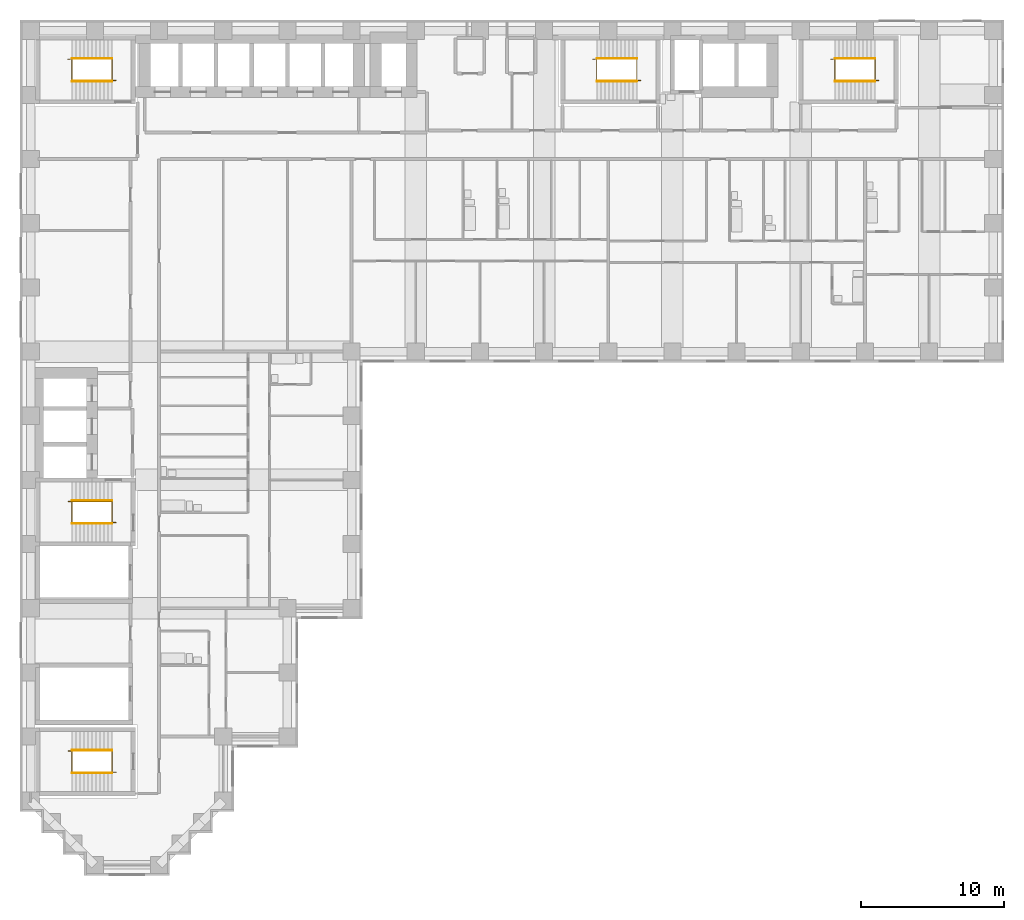
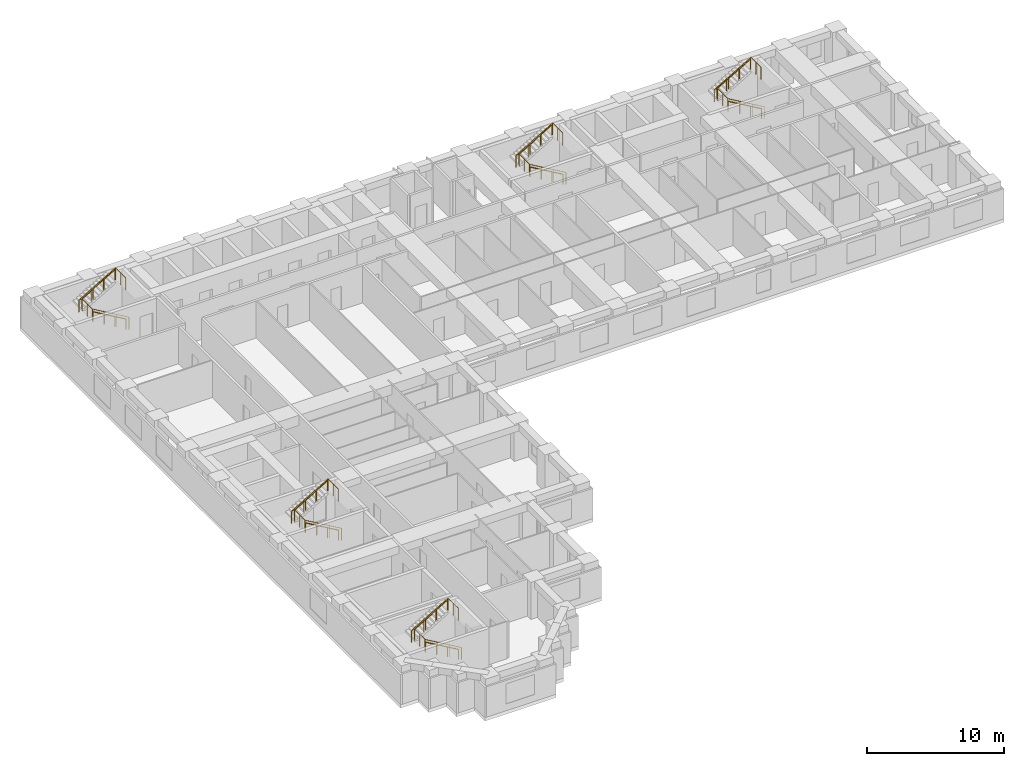
# One storey, part 11 of 12: 15 railings.
"""IFC4 building model written with IfcOpenShell, lengths in metres."""

from ifc_helpers import new_model, si_unit, direction, frame, origin, origin_2d, place, context, subcontext, project, spatial, circle, extrude, material, type_object, element, save


model = new_model("IFC4")

# Units and contexts
model_context = context("Model", 3, precision=1e-05, world=origin(), true_north=direction((0.0, 1.0)))
body_context = subcontext(model_context, "Body", "Model", "MODEL_VIEW")
ifc_project = project(units=[si_unit("LENGTHUNIT", "METRE"), si_unit("AREAUNIT", "SQUARE_METRE"), si_unit("VOLUMEUNIT", "CUBIC_METRE"), si_unit("PLANEANGLEUNIT", "RADIAN"), si_unit("MASSUNIT", "GRAM", prefix="KILO")], contexts=[model_context])

# Site, building, storey
site_placement = place(None, origin())
site = spatial("IfcSite", under=ifc_project, at=site_placement, CompositionType="ELEMENT")
building_placement = place(site_placement, origin())
building = spatial("IfcBuilding", under=site, at=building_placement, Name="Firuza Court", CompositionType="ELEMENT")
storey_placement = place(building_placement, frame((0.0, 0.0, 97.39990234375)))
storey = spatial("IfcBuildingStorey", under=building, at=storey_placement, Name="L24", CompositionType="ELEMENT", Elevation=97.39990234375)

# Railings
ifc_material_1 = material(Name="Steel S355", Category="steel")
railing_type_1 = type_object("IfcRailingType", Name="Handrail 900", PredefinedType="HANDRAIL", material=ifc_material_1)
railing_1_placement = place(storey_placement, frame((42.5, 54.949951171875, 0.163818359375)))
element("IfcRailing", 1, at=railing_1_placement, inside=storey, type_object=railing_type_1, Name="Handrail S1 flight 1", PredefinedType="HANDRAIL", context=body_context, shape_type="SweptSolid", body=[
    extrude(circle(Radius=0.02490234375, at=origin_2d()), frame((0.0, 0.0, 0.875), z_axis=(-0.863393664356, 0.0, 0.504530851732), x_axis=(0.0, -1.0, 0.0)), (0.0, 0.0, 1.0), 3.2431640625),
    extrude(circle(Radius=0.02001953125, at=origin_2d()), origin(), (0.0, 0.0, 1.0), 0.849853515625),
    extrude(circle(Radius=0.02001953125, at=origin_2d()), frame((-0.933349609375, 0.0, 0.54541015625)), (0.0, 0.0, 1.0), 0.849853515625),
    extrude(circle(Radius=0.02001953125, at=origin_2d()), frame((-1.86669921875, 0.0, 1.0908203125)), (0.0, 0.0, 1.0), 0.849853515625),
    extrude(circle(Radius=0.02001953125, at=origin_2d()), frame((-2.800048828125, 0.0, 1.63623046875)), (0.0, 0.0, 1.0), 0.849853515625),
])
railing_2_placement = place(storey_placement, frame((39.699951171875, 56.550048828125, 1.963623046875)))
element("IfcRailing", 2, at=railing_2_placement, inside=storey, type_object=railing_type_1, Name="Handrail S1 flight 2", PredefinedType="HANDRAIL", context=body_context, shape_type="SweptSolid", body=[
    extrude(circle(Radius=0.02490234375, at=origin_2d()), frame((0.0, 0.0, 0.875), z_axis=(0.863360870873, 0.0, 0.504586966384), x_axis=(0.0, 1.0, 0.0)), (0.0, 0.0, 1.0), 3.2431640625),
    extrude(circle(Radius=0.02001953125, at=origin_2d()), origin(), (0.0, 0.0, 1.0), 0.849853515625),
    extrude(circle(Radius=0.02001953125, at=origin_2d()), frame((0.933349609375, 0.0, 0.54541015625)), (0.0, 0.0, 1.0), 0.849853515625),
    extrude(circle(Radius=0.02001953125, at=origin_2d()), frame((1.86669921875, 0.0, 1.091064453125)), (0.0, 0.0, 1.0), 0.849853515625),
    extrude(circle(Radius=0.02001953125, at=origin_2d()), frame((2.800048828125, 0.0, 1.636474609375)), (0.0, 0.0, 1.0), 0.849853515625),
])
railing_3_placement = place(storey_placement, frame((5.699951171875, 23.949951171875, 0.163818359375)))
element("IfcRailing", 3, at=railing_3_placement, inside=storey, type_object=railing_type_1, Name="Handrail S2 flight 1", PredefinedType="HANDRAIL", context=body_context, shape_type="SweptSolid", body=[
    extrude(circle(Radius=0.02490234375, at=origin_2d()), frame((0.0, 0.0, 0.875), z_axis=(-0.863393664356, 0.0, 0.504530851732), x_axis=(0.0, -1.0, 0.0)), (0.0, 0.0, 1.0), 3.2431640625),
    extrude(circle(Radius=0.02001953125, at=origin_2d()), origin(), (0.0, 0.0, 1.0), 0.849853515625),
    extrude(circle(Radius=0.02001953125, at=origin_2d()), frame((-0.933349609375, 0.0, 0.54541015625)), (0.0, 0.0, 1.0), 0.849853515625),
    extrude(circle(Radius=0.02001953125, at=origin_2d()), frame((-1.86669921875, 0.0, 1.0908203125)), (0.0, 0.0, 1.0), 0.849853515625),
    extrude(circle(Radius=0.02001953125, at=origin_2d()), frame((-2.800048828125, 0.0, 1.63623046875)), (0.0, 0.0, 1.0), 0.849853515625),
])
railing_4_placement = place(storey_placement, frame((2.89990234375, 25.550048828125, 1.963623046875)))
element("IfcRailing", 4, at=railing_4_placement, inside=storey, type_object=railing_type_1, Name="Handrail S2 flight 2", PredefinedType="HANDRAIL", context=body_context, shape_type="SweptSolid", body=[
    extrude(circle(Radius=0.02490234375, at=origin_2d()), frame((0.0, 0.0, 0.875), z_axis=(0.863360870873, 0.0, 0.504586966384), x_axis=(0.0, 1.0, 0.0)), (0.0, 0.0, 1.0), 3.2431640625),
    extrude(circle(Radius=0.02001953125, at=origin_2d()), origin(), (0.0, 0.0, 1.0), 0.849853515625),
    extrude(circle(Radius=0.02001953125, at=origin_2d()), frame((0.933349609375, 0.0, 0.54541015625)), (0.0, 0.0, 1.0), 0.849853515625),
    extrude(circle(Radius=0.02001953125, at=origin_2d()), frame((1.86669921875, 0.0, 1.091064453125)), (0.0, 0.0, 1.0), 0.849853515625),
    extrude(circle(Radius=0.02001953125, at=origin_2d()), frame((2.800048828125, 0.0, 1.636474609375)), (0.0, 0.0, 1.0), 0.849853515625),
])
railing_5_placement = place(storey_placement, frame((5.699951171875, 54.949951171875, 0.163818359375)))
element("IfcRailing", 5, at=railing_5_placement, inside=storey, type_object=railing_type_1, Name="Handrail S3 flight 1", PredefinedType="HANDRAIL", context=body_context, shape_type="SweptSolid", body=[
    extrude(circle(Radius=0.02490234375, at=origin_2d()), frame((0.0, 0.0, 0.875), z_axis=(-0.863393664356, 0.0, 0.504530851732), x_axis=(0.0, -1.0, 0.0)), (0.0, 0.0, 1.0), 3.2431640625),
    extrude(circle(Radius=0.02001953125, at=origin_2d()), origin(), (0.0, 0.0, 1.0), 0.849853515625),
    extrude(circle(Radius=0.02001953125, at=origin_2d()), frame((-0.933349609375, 0.0, 0.54541015625)), (0.0, 0.0, 1.0), 0.849853515625),
    extrude(circle(Radius=0.02001953125, at=origin_2d()), frame((-1.86669921875, 0.0, 1.0908203125)), (0.0, 0.0, 1.0), 0.849853515625),
    extrude(circle(Radius=0.02001953125, at=origin_2d()), frame((-2.800048828125, 0.0, 1.63623046875)), (0.0, 0.0, 1.0), 0.849853515625),
])
railing_6_placement = place(storey_placement, frame((2.89990234375, 56.550048828125, 1.963623046875)))
element("IfcRailing", 6, at=railing_6_placement, inside=storey, type_object=railing_type_1, Name="Handrail S3 flight 2", PredefinedType="HANDRAIL", context=body_context, shape_type="SweptSolid", body=[
    extrude(circle(Radius=0.02490234375, at=origin_2d()), frame((0.0, 0.0, 0.875), z_axis=(0.863360870873, 0.0, 0.504586966384), x_axis=(0.0, 1.0, 0.0)), (0.0, 0.0, 1.0), 3.2431640625),
    extrude(circle(Radius=0.02001953125, at=origin_2d()), origin(), (0.0, 0.0, 1.0), 0.849853515625),
    extrude(circle(Radius=0.02001953125, at=origin_2d()), frame((0.933349609375, 0.0, 0.54541015625)), (0.0, 0.0, 1.0), 0.849853515625),
    extrude(circle(Radius=0.02001953125, at=origin_2d()), frame((1.86669921875, 0.0, 1.091064453125)), (0.0, 0.0, 1.0), 0.849853515625),
    extrude(circle(Radius=0.02001953125, at=origin_2d()), frame((2.800048828125, 0.0, 1.636474609375)), (0.0, 0.0, 1.0), 0.849853515625),
])
railing_7_placement = place(storey_placement, frame((59.199951171875, 54.949951171875, 0.163818359375)))
element("IfcRailing", 7, at=railing_7_placement, inside=storey, type_object=railing_type_1, Name="Handrail S4 flight 1", PredefinedType="HANDRAIL", context=body_context, shape_type="SweptSolid", body=[
    extrude(circle(Radius=0.02490234375, at=origin_2d()), frame((0.0, 0.0, 0.875), z_axis=(-0.863393664356, 0.0, 0.504530851732), x_axis=(0.0, -1.0, 0.0)), (0.0, 0.0, 1.0), 3.2431640625),
    extrude(circle(Radius=0.02001953125, at=origin_2d()), origin(), (0.0, 0.0, 1.0), 0.849853515625),
    extrude(circle(Radius=0.02001953125, at=origin_2d()), frame((-0.933349609375, 0.0, 0.54541015625)), (0.0, 0.0, 1.0), 0.849853515625),
    extrude(circle(Radius=0.02001953125, at=origin_2d()), frame((-1.86669921875, 0.0, 1.0908203125)), (0.0, 0.0, 1.0), 0.849853515625),
    extrude(circle(Radius=0.02001953125, at=origin_2d()), frame((-2.800048828125, 0.0, 1.63623046875)), (0.0, 0.0, 1.0), 0.849853515625),
])
railing_8_placement = place(storey_placement, frame((56.39990234375, 56.550048828125, 1.963623046875)))
element("IfcRailing", 8, at=railing_8_placement, inside=storey, type_object=railing_type_1, Name="Handrail S4 flight 2", PredefinedType="HANDRAIL", context=body_context, shape_type="SweptSolid", body=[
    extrude(circle(Radius=0.02490234375, at=origin_2d()), frame((0.0, 0.0, 0.875), z_axis=(0.863360870873, 0.0, 0.504586966384), x_axis=(0.0, 1.0, 0.0)), (0.0, 0.0, 1.0), 3.2431640625),
    extrude(circle(Radius=0.02001953125, at=origin_2d()), origin(), (0.0, 0.0, 1.0), 0.849853515625),
    extrude(circle(Radius=0.02001953125, at=origin_2d()), frame((0.933349609375, 0.0, 0.54541015625)), (0.0, 0.0, 1.0), 0.849853515625),
    extrude(circle(Radius=0.02001953125, at=origin_2d()), frame((1.86669921875, 0.0, 1.091064453125)), (0.0, 0.0, 1.0), 0.849853515625),
    extrude(circle(Radius=0.02001953125, at=origin_2d()), frame((2.800048828125, 0.0, 1.636474609375)), (0.0, 0.0, 1.0), 0.849853515625),
])
railing_9_placement = place(storey_placement, frame((5.699951171875, 6.449951171875, 0.163818359375)))
element("IfcRailing", 9, at=railing_9_placement, inside=storey, type_object=railing_type_1, Name="Handrail S5 flight 1", PredefinedType="HANDRAIL", context=body_context, shape_type="SweptSolid", body=[
    extrude(circle(Radius=0.02490234375, at=origin_2d()), frame((0.0, 0.0, 0.875), z_axis=(-0.863393664356, 0.0, 0.504530851732), x_axis=(0.0, -1.0, 0.0)), (0.0, 0.0, 1.0), 3.2431640625),
    extrude(circle(Radius=0.02001953125, at=origin_2d()), origin(), (0.0, 0.0, 1.0), 0.849853515625),
    extrude(circle(Radius=0.02001953125, at=origin_2d()), frame((-0.933349609375, 0.0, 0.54541015625)), (0.0, 0.0, 1.0), 0.849853515625),
    extrude(circle(Radius=0.02001953125, at=origin_2d()), frame((-1.86669921875, 0.0, 1.0908203125)), (0.0, 0.0, 1.0), 0.849853515625),
    extrude(circle(Radius=0.02001953125, at=origin_2d()), frame((-2.800048828125, 0.0, 1.63623046875)), (0.0, 0.0, 1.0), 0.849853515625),
])
railing_10_placement = place(storey_placement, frame((2.89990234375, 8.050048828125, 1.963623046875)))
element("IfcRailing", 10, at=railing_10_placement, inside=storey, type_object=railing_type_1, Name="Handrail S5 flight 2", PredefinedType="HANDRAIL", context=body_context, shape_type="SweptSolid", body=[
    extrude(circle(Radius=0.02490234375, at=origin_2d()), frame((0.0, 0.0, 0.875), z_axis=(0.863360870873, 0.0, 0.504586966384), x_axis=(0.0, 1.0, 0.0)), (0.0, 0.0, 1.0), 3.2431640625),
    extrude(circle(Radius=0.02001953125, at=origin_2d()), origin(), (0.0, 0.0, 1.0), 0.849853515625),
    extrude(circle(Radius=0.02001953125, at=origin_2d()), frame((0.933349609375, 0.0, 0.54541015625)), (0.0, 0.0, 1.0), 0.849853515625),
    extrude(circle(Radius=0.02001953125, at=origin_2d()), frame((1.86669921875, 0.0, 1.091064453125)), (0.0, 0.0, 1.0), 0.849853515625),
    extrude(circle(Radius=0.02001953125, at=origin_2d()), frame((2.800048828125, 0.0, 1.636474609375)), (0.0, 0.0, 1.0), 0.849853515625),
])
ifc_material_2 = material(Name="Steel S355", Category="steel")
railing_type_2 = type_object("IfcRailingType", Name="Stair guard 1100", PredefinedType="GUARDRAIL", material=ifc_material_2)
railing_11_placement = place(storey_placement, frame((42.780029296875, 55.010009765625, 0.0)))
element("IfcRailing", 11, at=railing_11_placement, inside=storey, type_object=railing_type_2, Name="Stair well guard S1", PredefinedType="GUARDRAIL", context=body_context, shape_type="SweptSolid", body=[
    extrude(circle(Radius=0.02490234375, at=origin_2d()), frame((0.0, 0.0, 1.0751953125), z_axis=(-0.863371556955, 0.0, 0.504568681787), x_axis=(0.0, -1.0, 0.0)), (0.0, 0.0, 1.0), 3.5673828125),
    extrude(circle(Radius=0.02490234375, at=origin_2d()), frame((-3.080078125, 0.0, 2.875), z_axis=(0.0, 1.0, 0.0), x_axis=(-1.0, 0.0, 0.0)), (0.0, 0.0, 1.0), 1.47998046875),
    extrude(circle(Radius=0.02490234375, at=origin_2d()), frame((-3.080078125, 1.47998046875, 2.875), z_axis=(-1.0, 0.0, 0.0), x_axis=(0.0, -1.0, 0.0)), (0.0, 0.0, 1.0), 0.280029296875),
    extrude(circle(Radius=0.02490234375, at=origin_2d()), frame((-3.360107421875, 1.47998046875, 2.875), z_axis=(0.863371556955, 0.0, 0.504568681787), x_axis=(0.0, 1.0, 0.0)), (0.0, 0.0, 1.0), 3.5673828125),
    extrude(circle(Radius=0.02490234375, at=origin_2d()), frame((-0.280029296875, 1.47998046875, 4.67529296875), z_axis=(0.0, -1.0, 0.0), x_axis=(1.0, 0.0, 0.0)), (0.0, 0.0, 1.0), 1.47998046875),
    extrude(circle(Radius=0.02490234375, at=origin_2d()), origin(), (0.0, 0.0, 1.0), 1.050048828125),
    extrude(circle(Radius=0.02490234375, at=origin_2d()), frame((-1.026611328125, 0.0, 0.60009765625)), (0.0, 0.0, 1.0), 1.050048828125),
    extrude(circle(Radius=0.02490234375, at=origin_2d()), frame((-2.053466796875, 0.0, 1.199951171875)), (0.0, 0.0, 1.0), 1.050048828125),
    extrude(circle(Radius=0.02490234375, at=origin_2d()), frame((-3.080078125, 0.0, 1.800048828125)), (0.0, 0.0, 1.0), 1.050048828125),
    extrude(circle(Radius=0.02490234375, at=origin_2d()), frame((-3.080078125, 0.739990234375, 1.800048828125)), (0.0, 0.0, 1.0), 1.050048828125),
    extrude(circle(Radius=0.02490234375, at=origin_2d()), frame((-3.080078125, 1.47998046875, 1.800048828125)), (0.0, 0.0, 1.0), 1.050048828125),
    extrude(circle(Radius=0.02490234375, at=origin_2d()), frame((-3.360107421875, 1.47998046875, 1.800048828125)), (0.0, 0.0, 1.0), 1.050048828125),
    extrude(circle(Radius=0.02490234375, at=origin_2d()), frame((-2.33349609375, 1.47998046875, 2.400146484375)), (0.0, 0.0, 1.0), 1.050048828125),
    extrude(circle(Radius=0.02490234375, at=origin_2d()), frame((-1.306640625, 1.47998046875, 3.0)), (0.0, 0.0, 1.0), 1.050048828125),
    extrude(circle(Radius=0.02490234375, at=origin_2d()), frame((-0.280029296875, 1.47998046875, 3.60009765625)), (0.0, 0.0, 1.0), 1.050048828125),
    extrude(circle(Radius=0.02490234375, at=origin_2d()), frame((-0.280029296875, 0.739990234375, 3.60009765625)), (0.0, 0.0, 1.0), 1.050048828125),
    extrude(circle(Radius=0.02490234375, at=origin_2d()), frame((-0.280029296875, 0.0, 3.60009765625)), (0.0, 0.0, 1.0), 1.050048828125),
])
railing_12_placement = place(storey_placement, frame((5.97998046875, 24.010009765625, 0.0)))
element("IfcRailing", 12, at=railing_12_placement, inside=storey, type_object=railing_type_2, Name="Stair well guard S2", PredefinedType="GUARDRAIL", context=body_context, shape_type="SweptSolid", body=[
    extrude(circle(Radius=0.02490234375, at=origin_2d()), frame((0.0, 0.0, 1.0751953125), z_axis=(-0.863371556955, 0.0, 0.504568681787), x_axis=(0.0, -1.0, 0.0)), (0.0, 0.0, 1.0), 3.5673828125),
    extrude(circle(Radius=0.02490234375, at=origin_2d()), frame((-3.080078125, 0.0, 2.875), z_axis=(0.0, 1.0, 0.0), x_axis=(-1.0, 0.0, 0.0)), (0.0, 0.0, 1.0), 1.47998046875),
    extrude(circle(Radius=0.02490234375, at=origin_2d()), frame((-3.080078125, 1.47998046875, 2.875), z_axis=(-1.0, 0.0, 0.0), x_axis=(0.0, -1.0, 0.0)), (0.0, 0.0, 1.0), 0.27978515625),
    extrude(circle(Radius=0.02490234375, at=origin_2d()), frame((-3.35986328125, 1.47998046875, 2.875), z_axis=(0.863354132664, 0.0, 0.504598495452), x_axis=(0.0, 1.0, 0.0)), (0.0, 0.0, 1.0), 3.5673828125),
    extrude(circle(Radius=0.02490234375, at=origin_2d()), frame((-0.280029296875, 1.47998046875, 4.67529296875), z_axis=(0.0, -1.0, 0.0), x_axis=(1.0, 0.0, 0.0)), (0.0, 0.0, 1.0), 1.47998046875),
    extrude(circle(Radius=0.02490234375, at=origin_2d()), origin(), (0.0, 0.0, 1.0), 1.050048828125),
    extrude(circle(Radius=0.02490234375, at=origin_2d()), frame((-1.026611328125, 0.0, 0.60009765625)), (0.0, 0.0, 1.0), 1.050048828125),
    extrude(circle(Radius=0.02490234375, at=origin_2d()), frame((-2.053466796875, 0.0, 1.199951171875)), (0.0, 0.0, 1.0), 1.050048828125),
    extrude(circle(Radius=0.02490234375, at=origin_2d()), frame((-3.080078125, 0.0, 1.800048828125)), (0.0, 0.0, 1.0), 1.050048828125),
    extrude(circle(Radius=0.02490234375, at=origin_2d()), frame((-3.080078125, 0.739990234375, 1.800048828125)), (0.0, 0.0, 1.0), 1.050048828125),
    extrude(circle(Radius=0.02490234375, at=origin_2d()), frame((-3.080078125, 1.47998046875, 1.800048828125)), (0.0, 0.0, 1.0), 1.050048828125),
    extrude(circle(Radius=0.02490234375, at=origin_2d()), frame((-3.35986328125, 1.47998046875, 1.800048828125)), (0.0, 0.0, 1.0), 1.050048828125),
    extrude(circle(Radius=0.02490234375, at=origin_2d()), frame((-2.333251953125, 1.47998046875, 2.400146484375)), (0.0, 0.0, 1.0), 1.050048828125),
    extrude(circle(Radius=0.02490234375, at=origin_2d()), frame((-1.306640625, 1.47998046875, 3.0)), (0.0, 0.0, 1.0), 1.050048828125),
    extrude(circle(Radius=0.02490234375, at=origin_2d()), frame((-0.280029296875, 1.47998046875, 3.60009765625)), (0.0, 0.0, 1.0), 1.050048828125),
    extrude(circle(Radius=0.02490234375, at=origin_2d()), frame((-0.280029296875, 0.739990234375, 3.60009765625)), (0.0, 0.0, 1.0), 1.050048828125),
    extrude(circle(Radius=0.02490234375, at=origin_2d()), frame((-0.280029296875, 0.0, 3.60009765625)), (0.0, 0.0, 1.0), 1.050048828125),
])
railing_13_placement = place(storey_placement, frame((5.97998046875, 55.010009765625, 0.0)))
element("IfcRailing", 13, at=railing_13_placement, inside=storey, type_object=railing_type_2, Name="Stair well guard S3", PredefinedType="GUARDRAIL", context=body_context, shape_type="SweptSolid", body=[
    extrude(circle(Radius=0.02490234375, at=origin_2d()), frame((0.0, 0.0, 1.0751953125), z_axis=(-0.863371556955, 0.0, 0.504568681787), x_axis=(0.0, -1.0, 0.0)), (0.0, 0.0, 1.0), 3.5673828125),
    extrude(circle(Radius=0.02490234375, at=origin_2d()), frame((-3.080078125, 0.0, 2.875), z_axis=(0.0, 1.0, 0.0), x_axis=(-1.0, 0.0, 0.0)), (0.0, 0.0, 1.0), 1.47998046875),
    extrude(circle(Radius=0.02490234375, at=origin_2d()), frame((-3.080078125, 1.47998046875, 2.875), z_axis=(-1.0, 0.0, 0.0), x_axis=(0.0, -1.0, 0.0)), (0.0, 0.0, 1.0), 0.27978515625),
    extrude(circle(Radius=0.02490234375, at=origin_2d()), frame((-3.35986328125, 1.47998046875, 2.875), z_axis=(0.863354132664, 0.0, 0.504598495452), x_axis=(0.0, 1.0, 0.0)), (0.0, 0.0, 1.0), 3.5673828125),
    extrude(circle(Radius=0.02490234375, at=origin_2d()), frame((-0.280029296875, 1.47998046875, 4.67529296875), z_axis=(0.0, -1.0, 0.0), x_axis=(1.0, 0.0, 0.0)), (0.0, 0.0, 1.0), 1.47998046875),
    extrude(circle(Radius=0.02490234375, at=origin_2d()), origin(), (0.0, 0.0, 1.0), 1.050048828125),
    extrude(circle(Radius=0.02490234375, at=origin_2d()), frame((-1.026611328125, 0.0, 0.60009765625)), (0.0, 0.0, 1.0), 1.050048828125),
    extrude(circle(Radius=0.02490234375, at=origin_2d()), frame((-2.053466796875, 0.0, 1.199951171875)), (0.0, 0.0, 1.0), 1.050048828125),
    extrude(circle(Radius=0.02490234375, at=origin_2d()), frame((-3.080078125, 0.0, 1.800048828125)), (0.0, 0.0, 1.0), 1.050048828125),
    extrude(circle(Radius=0.02490234375, at=origin_2d()), frame((-3.080078125, 0.739990234375, 1.800048828125)), (0.0, 0.0, 1.0), 1.050048828125),
    extrude(circle(Radius=0.02490234375, at=origin_2d()), frame((-3.080078125, 1.47998046875, 1.800048828125)), (0.0, 0.0, 1.0), 1.050048828125),
    extrude(circle(Radius=0.02490234375, at=origin_2d()), frame((-3.35986328125, 1.47998046875, 1.800048828125)), (0.0, 0.0, 1.0), 1.050048828125),
    extrude(circle(Radius=0.02490234375, at=origin_2d()), frame((-2.333251953125, 1.47998046875, 2.400146484375)), (0.0, 0.0, 1.0), 1.050048828125),
    extrude(circle(Radius=0.02490234375, at=origin_2d()), frame((-1.306640625, 1.47998046875, 3.0)), (0.0, 0.0, 1.0), 1.050048828125),
    extrude(circle(Radius=0.02490234375, at=origin_2d()), frame((-0.280029296875, 1.47998046875, 3.60009765625)), (0.0, 0.0, 1.0), 1.050048828125),
    extrude(circle(Radius=0.02490234375, at=origin_2d()), frame((-0.280029296875, 0.739990234375, 3.60009765625)), (0.0, 0.0, 1.0), 1.050048828125),
    extrude(circle(Radius=0.02490234375, at=origin_2d()), frame((-0.280029296875, 0.0, 3.60009765625)), (0.0, 0.0, 1.0), 1.050048828125),
])
railing_14_placement = place(storey_placement, frame((59.47998046875, 55.010009765625, 0.0)))
element("IfcRailing", 14, at=railing_14_placement, inside=storey, type_object=railing_type_2, Name="Stair well guard S4", PredefinedType="GUARDRAIL", context=body_context, shape_type="SweptSolid", body=[
    extrude(circle(Radius=0.02490234375, at=origin_2d()), frame((0.0, 0.0, 1.0751953125), z_axis=(-0.863371556955, 0.0, 0.504568681787), x_axis=(0.0, -1.0, 0.0)), (0.0, 0.0, 1.0), 3.5673828125),
    extrude(circle(Radius=0.02490234375, at=origin_2d()), frame((-3.080078125, 0.0, 2.875), z_axis=(0.0, 1.0, 0.0), x_axis=(-1.0, 0.0, 0.0)), (0.0, 0.0, 1.0), 1.47998046875),
    extrude(circle(Radius=0.02490234375, at=origin_2d()), frame((-3.080078125, 1.47998046875, 2.875), z_axis=(-1.0, 0.0, 0.0), x_axis=(0.0, -1.0, 0.0)), (0.0, 0.0, 1.0), 0.27978515625),
    extrude(circle(Radius=0.02490234375, at=origin_2d()), frame((-3.35986328125, 1.47998046875, 2.875), z_axis=(0.863354132664, 0.0, 0.504598495452), x_axis=(0.0, 1.0, 0.0)), (0.0, 0.0, 1.0), 3.5673828125),
    extrude(circle(Radius=0.02490234375, at=origin_2d()), frame((-0.280029296875, 1.47998046875, 4.67529296875), z_axis=(0.0, -1.0, 0.0), x_axis=(1.0, 0.0, 0.0)), (0.0, 0.0, 1.0), 1.47998046875),
    extrude(circle(Radius=0.02490234375, at=origin_2d()), origin(), (0.0, 0.0, 1.0), 1.050048828125),
    extrude(circle(Radius=0.02490234375, at=origin_2d()), frame((-1.026611328125, 0.0, 0.60009765625)), (0.0, 0.0, 1.0), 1.050048828125),
    extrude(circle(Radius=0.02490234375, at=origin_2d()), frame((-2.053466796875, 0.0, 1.199951171875)), (0.0, 0.0, 1.0), 1.050048828125),
    extrude(circle(Radius=0.02490234375, at=origin_2d()), frame((-3.080078125, 0.0, 1.800048828125)), (0.0, 0.0, 1.0), 1.050048828125),
    extrude(circle(Radius=0.02490234375, at=origin_2d()), frame((-3.080078125, 0.739990234375, 1.800048828125)), (0.0, 0.0, 1.0), 1.050048828125),
    extrude(circle(Radius=0.02490234375, at=origin_2d()), frame((-3.080078125, 1.47998046875, 1.800048828125)), (0.0, 0.0, 1.0), 1.050048828125),
    extrude(circle(Radius=0.02490234375, at=origin_2d()), frame((-3.35986328125, 1.47998046875, 1.800048828125)), (0.0, 0.0, 1.0), 1.050048828125),
    extrude(circle(Radius=0.02490234375, at=origin_2d()), frame((-2.333251953125, 1.47998046875, 2.400146484375)), (0.0, 0.0, 1.0), 1.050048828125),
    extrude(circle(Radius=0.02490234375, at=origin_2d()), frame((-1.306640625, 1.47998046875, 3.0)), (0.0, 0.0, 1.0), 1.050048828125),
    extrude(circle(Radius=0.02490234375, at=origin_2d()), frame((-0.280029296875, 1.47998046875, 3.60009765625)), (0.0, 0.0, 1.0), 1.050048828125),
    extrude(circle(Radius=0.02490234375, at=origin_2d()), frame((-0.280029296875, 0.739990234375, 3.60009765625)), (0.0, 0.0, 1.0), 1.050048828125),
    extrude(circle(Radius=0.02490234375, at=origin_2d()), frame((-0.280029296875, 0.0, 3.60009765625)), (0.0, 0.0, 1.0), 1.050048828125),
])
railing_15_placement = place(storey_placement, frame((5.97998046875, 6.510009765625, 0.0)))
element("IfcRailing", 15, at=railing_15_placement, inside=storey, type_object=railing_type_2, Name="Stair well guard S5", PredefinedType="GUARDRAIL", context=body_context, shape_type="SweptSolid", body=[
    extrude(circle(Radius=0.02490234375, at=origin_2d()), frame((0.0, 0.0, 1.0751953125), z_axis=(-0.863371556955, 0.0, 0.504568681787), x_axis=(0.0, -1.0, 0.0)), (0.0, 0.0, 1.0), 3.5673828125),
    extrude(circle(Radius=0.02490234375, at=origin_2d()), frame((-3.080078125, 0.0, 2.875), z_axis=(0.0, 1.0, 0.0), x_axis=(-1.0, 0.0, 0.0)), (0.0, 0.0, 1.0), 1.47998046875),
    extrude(circle(Radius=0.02490234375, at=origin_2d()), frame((-3.080078125, 1.47998046875, 2.875), z_axis=(-1.0, 0.0, 0.0), x_axis=(0.0, -1.0, 0.0)), (0.0, 0.0, 1.0), 0.27978515625),
    extrude(circle(Radius=0.02490234375, at=origin_2d()), frame((-3.35986328125, 1.47998046875, 2.875), z_axis=(0.863354132664, 0.0, 0.504598495452), x_axis=(0.0, 1.0, 0.0)), (0.0, 0.0, 1.0), 3.5673828125),
    extrude(circle(Radius=0.02490234375, at=origin_2d()), frame((-0.280029296875, 1.47998046875, 4.67529296875), z_axis=(0.0, -1.0, 0.0), x_axis=(1.0, 0.0, 0.0)), (0.0, 0.0, 1.0), 1.47998046875),
    extrude(circle(Radius=0.02490234375, at=origin_2d()), origin(), (0.0, 0.0, 1.0), 1.050048828125),
    extrude(circle(Radius=0.02490234375, at=origin_2d()), frame((-1.026611328125, 0.0, 0.60009765625)), (0.0, 0.0, 1.0), 1.050048828125),
    extrude(circle(Radius=0.02490234375, at=origin_2d()), frame((-2.053466796875, 0.0, 1.199951171875)), (0.0, 0.0, 1.0), 1.050048828125),
    extrude(circle(Radius=0.02490234375, at=origin_2d()), frame((-3.080078125, 0.0, 1.800048828125)), (0.0, 0.0, 1.0), 1.050048828125),
    extrude(circle(Radius=0.02490234375, at=origin_2d()), frame((-3.080078125, 0.739990234375, 1.800048828125)), (0.0, 0.0, 1.0), 1.050048828125),
    extrude(circle(Radius=0.02490234375, at=origin_2d()), frame((-3.080078125, 1.47998046875, 1.800048828125)), (0.0, 0.0, 1.0), 1.050048828125),
    extrude(circle(Radius=0.02490234375, at=origin_2d()), frame((-3.35986328125, 1.47998046875, 1.800048828125)), (0.0, 0.0, 1.0), 1.050048828125),
    extrude(circle(Radius=0.02490234375, at=origin_2d()), frame((-2.333251953125, 1.47998046875, 2.400146484375)), (0.0, 0.0, 1.0), 1.050048828125),
    extrude(circle(Radius=0.02490234375, at=origin_2d()), frame((-1.306640625, 1.47998046875, 3.0)), (0.0, 0.0, 1.0), 1.050048828125),
    extrude(circle(Radius=0.02490234375, at=origin_2d()), frame((-0.280029296875, 1.47998046875, 3.60009765625)), (0.0, 0.0, 1.0), 1.050048828125),
    extrude(circle(Radius=0.02490234375, at=origin_2d()), frame((-0.280029296875, 0.739990234375, 3.60009765625)), (0.0, 0.0, 1.0), 1.050048828125),
    extrude(circle(Radius=0.02490234375, at=origin_2d()), frame((-0.280029296875, 0.0, 3.60009765625)), (0.0, 0.0, 1.0), 1.050048828125),
])

save(model, "model.ifc")
